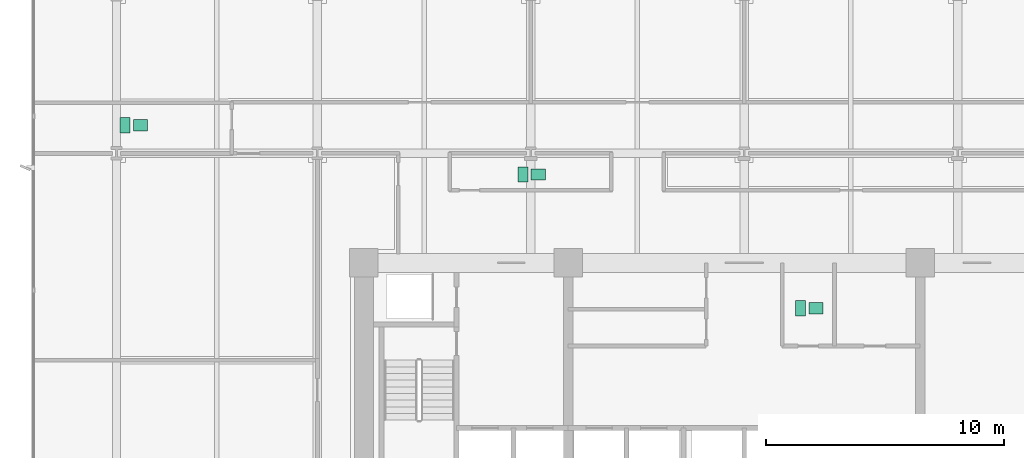
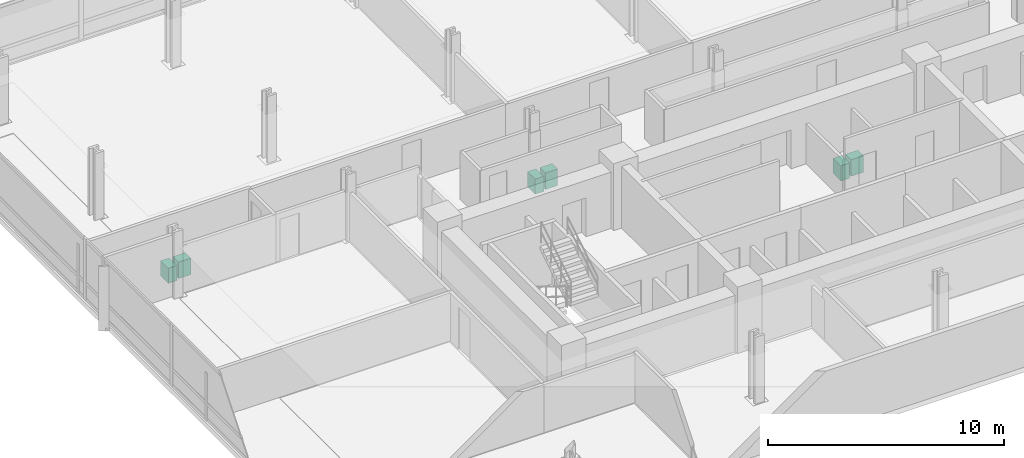
# One storey, part 14 of 14: 6 sanitary terminals.
"""IFC4 building model written with IfcOpenShell, lengths in metres."""

from ifc_helpers import new_model, si_unit, direction, frame, origin, origin_2d, place, context, subcontext, project, spatial, rectangle, extrude, material, type_object, element, save


model = new_model("IFC4")

# Units and contexts
model_context = context("Model", 3, precision=1e-05, world=origin(), true_north=direction((0.0, 1.0)))
body_context = subcontext(model_context, "Body", "Model", "MODEL_VIEW")
ifc_project = project(units=[si_unit("LENGTHUNIT", "METRE"), si_unit("AREAUNIT", "SQUARE_METRE"), si_unit("VOLUMEUNIT", "CUBIC_METRE"), si_unit("PLANEANGLEUNIT", "RADIAN"), si_unit("MASSUNIT", "GRAM", prefix="KILO")], contexts=[model_context])

# Site, building, storey
site_placement = place(None, origin())
site = spatial("IfcSite", under=ifc_project, at=site_placement, CompositionType="ELEMENT")
building_placement = place(site_placement, origin())
building = spatial("IfcBuilding", under=site, at=building_placement, Name="Solmavex Isthmus Hotel", CompositionType="ELEMENT")
storey_placement = place(building_placement, frame((0.0, 0.0, 50.550048828125)))
storey = spatial("IfcBuildingStorey", under=building, at=storey_placement, Name="L13", CompositionType="ELEMENT", Elevation=50.550048828125)

# Sanitary terminals
ifc_material = material(Name="Vitreous china ceramic", Category="ceramic")
sanitary_terminal_type_1 = type_object("IfcSanitaryTerminalType", Name="SAN-BASIN", PredefinedType="WASHHANDBASIN", material=ifc_material)
for number, where, z_axis, x_axis, name in (
    (1, (3.02001953125, -4.409912109375, 0.0), (0.0, 0.0, 1.0), (1.0, 0.0, 0.0), "Vanity Washbasin L13-63"),
    (2, (-8.666015625, 1.21240234375, 0.0), (0.0, 0.0, 1.0), (1.0, 0.0, 0.0), "Vanity Washbasin L13-64"),
    (3, (-25.39599609375, 3.277587890625, 0.0), (0.0, 0.0, 1.0), (1.0, 0.0, 0.0), "Vanity Washbasin L13-65"),
):
    element("IfcSanitaryTerminal", number, at=place(storey_placement, frame(where, z_axis=z_axis, x_axis=x_axis)), inside=storey, type_object=sanitary_terminal_type_1, Name=name, PredefinedType="WASHHANDBASIN", context=body_context, shape_type="SweptSolid", body=[
        extrude(rectangle(XDim=0.60009765625, YDim=0.47998046875, at=origin_2d()), origin(), (0.0, 0.0, 1.0), 0.85009765625),
    ])
sanitary_terminal_type_2 = type_object("IfcSanitaryTerminalType", Name="SAN-WC-SUITE", PredefinedType="TOILETPAN", material=ifc_material)
for number, where, z_axis, x_axis, name in (
    (4, (2.3798828125, -4.409912109375, 0.0), (0.0, 0.0, 1.0), (1.0, 0.0, 0.0), "Water Closet L13-63"),
    (5, (-9.305908203125, 1.21240234375, 0.0), (0.0, 0.0, 1.0), (1.0, 0.0, 0.0), "Water Closet L13-64"),
    (6, (-26.035888671875, 3.277587890625, 0.0), (0.0, 0.0, 1.0), (1.0, 0.0, 0.0), "Water Closet L13-65"),
):
    element("IfcSanitaryTerminal", number, at=place(storey_placement, frame(where, z_axis=z_axis, x_axis=x_axis)), inside=storey, type_object=sanitary_terminal_type_2, Name=name, PredefinedType="TOILETPAN", context=body_context, shape_type="SweptSolid", body=[
        extrude(rectangle(XDim=0.419921875, YDim=0.64990234375, at=origin_2d()), origin(), (0.0, 0.0, 1.0), 0.780029296875),
    ])

save(model, "model.ifc")
